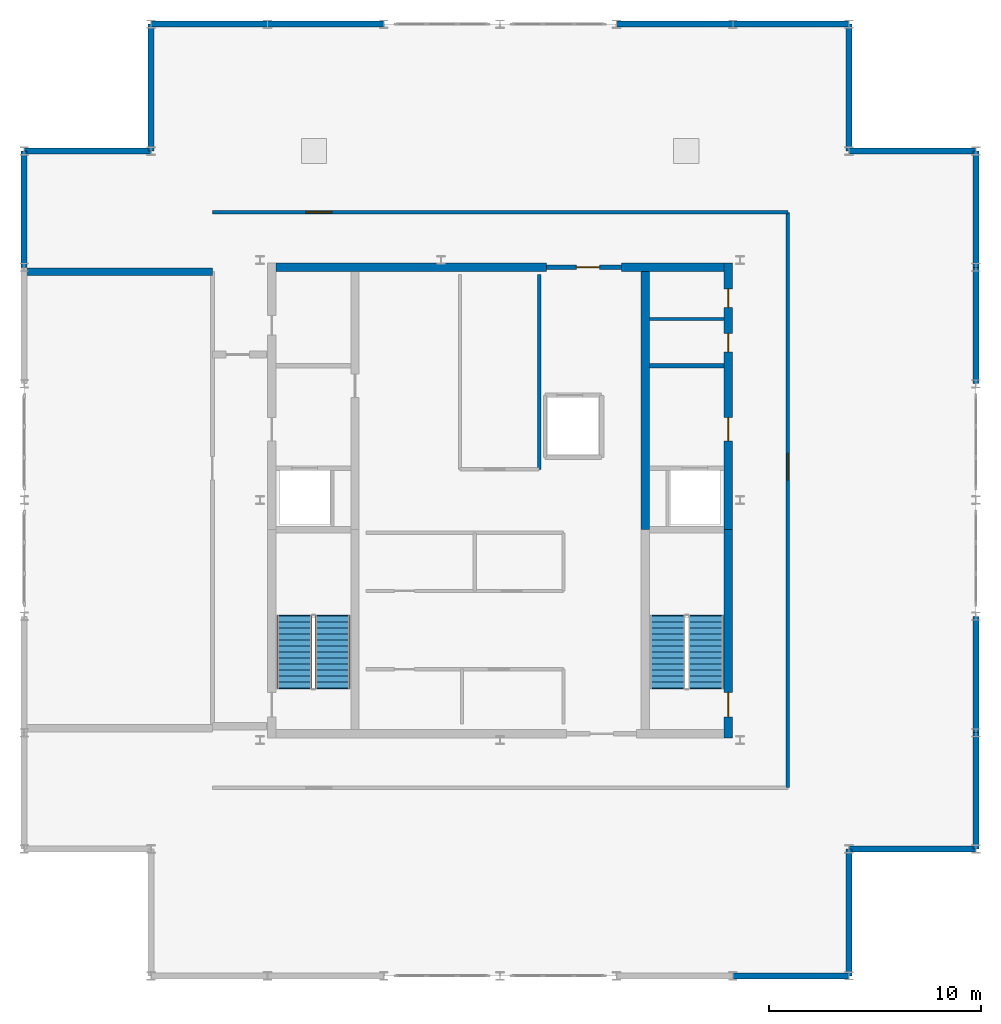
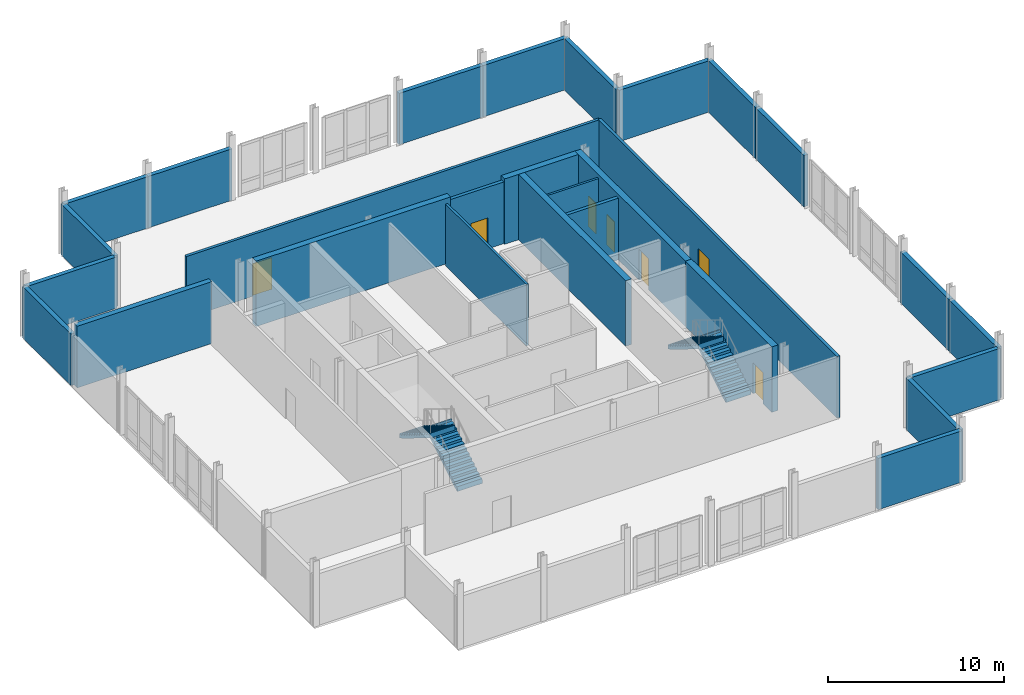
# One storey, part 6 of 7: 28 walls, 7 doors, 4 stair flights, 7 openings, 2 elements without a shape of their own.
"""IFC4 building model written with IfcOpenShell, lengths in metres."""

import ifcopenshell
import ifcopenshell.guid

model = None  # the IFC model being written
_history = None  # IfcOwnerHistory: only IFC2X3 demands one
_inside = {}  # id of a spatial element -> (the spatial element, [elements in it])
_under = {}  # id of a project, library or spatial element -> (it, [spatial elements below it])
_declared = {}  # id of a project -> (the project, [libraries it declares])
_typed = {}  # id of a type object -> (the type object, [elements of that type])
_made_of = {}  # id of a material, layer set ... -> (it, [elements and type objects made of it])


def new_model(schema):
    """Start an empty IFC model of exactly this schema.

    Asked for "IFC4X3", IfcOpenShell would pick the latest addendum, in which some entities
    have other attributes; the version numbers below select the first issue.
    IFC2X3 requires an IfcOwnerHistory on every rooted entity: one is made here for all.
    """
    global model, _history
    if schema == "IFC4X3":
        model = ifcopenshell.file(schema_version=(4, 3, 0, 0))
    else:
        model = ifcopenshell.file(schema=schema)
    _inside.clear()
    _under.clear()
    _declared.clear()
    _typed.clear()
    _made_of.clear()
    _history = None
    if model.schema == "IFC2X3":
        org = make("IfcOrganization", Name="unknown")
        user = make(
            "IfcPersonAndOrganization",
            ThePerson=make("IfcPerson", FamilyName="unknown"),
            TheOrganization=org,
        )
        app = make(
            "IfcApplication",
            ApplicationDeveloper=org,
            Version="unknown",
            ApplicationFullName="unknown",
            ApplicationIdentifier="unknown",
        )
        _history = make(
            "IfcOwnerHistory",
            OwningUser=user,
            OwningApplication=app,
            ChangeAction="ADDED",
            CreationDate=0,
        )
    return model


def make(cls, **values):
    """One entity of the class cls with the attributes given. An attribute that is None is left unset."""
    return model.create_entity(
        cls, **{name: value for name, value in values.items() if value is not None}
    )


def rooted(cls, **values):
    """An entity with a GlobalId (a new one), such as an element, a storey or a relation."""
    return make(cls, GlobalId=ifcopenshell.guid.new(), OwnerHistory=_history, **values)


def si_unit(unit_type, name, prefix=None):
    """IfcSIUnit, for example si_unit("LENGTHUNIT", "METRE", prefix="MILLI")."""
    return make("IfcSIUnit", UnitType=unit_type, Prefix=prefix, Name=name)


def assignment(units):
    """IfcUnitAssignment: the units of a project."""
    return None if units is None else make("IfcUnitAssignment", Units=units)


def point(xyz):
    """IfcCartesianPoint."""
    return None if xyz is None else make("IfcCartesianPoint", Coordinates=xyz)


def direction(xyz):
    """IfcDirection."""
    return None if xyz is None else make("IfcDirection", DirectionRatios=xyz)


def frame(location, z_axis=None, x_axis=None):
    """IfcAxis2Placement3D, a coordinate frame: its origin and axes. An axis left out is left unset."""
    return make(
        "IfcAxis2Placement3D",
        Location=point(location),
        Axis=direction(z_axis),
        RefDirection=direction(x_axis),
    )


def frame_2d(location, x_axis=None):
    """IfcAxis2Placement2D, a coordinate frame in the plane: its origin and x axis."""
    return make(
        "IfcAxis2Placement2D", Location=point(location), RefDirection=direction(x_axis)
    )


def origin():
    """The frame at (0, 0, 0) with its axes left unset."""
    return frame((0.0, 0.0, 0.0))


def place(relative_to, where):
    """IfcLocalPlacement: puts the frame where relative to a parent placement (None: the world)."""
    return make(
        "IfcLocalPlacement", PlacementRelTo=relative_to, RelativePlacement=where
    )


def context(
    kind, dimensions, precision=None, world=None, true_north=None, identifier=None
):
    """IfcGeometricRepresentationContext, for example the 3D "Model" context."""
    return make(
        "IfcGeometricRepresentationContext",
        ContextIdentifier=identifier,
        ContextType=kind,
        CoordinateSpaceDimension=dimensions,
        Precision=precision,
        WorldCoordinateSystem=world,
        TrueNorth=true_north,
    )


def subcontext(parent, identifier, kind, view, scale=None):
    """IfcGeometricRepresentationSubContext, for example "Body" below "Model"."""
    return make(
        "IfcGeometricRepresentationSubContext",
        ContextIdentifier=identifier,
        ContextType=kind,
        ParentContext=parent,
        TargetScale=scale,
        TargetView=view,
    )


def project(units=None, contexts=None):
    """IfcProject with its units and contexts."""
    return rooted(
        "IfcProject",
        Name="project",
        RepresentationContexts=contexts,
        UnitsInContext=assignment(units),
    )


def spatial(cls, under=None, at=None, **own):
    """A site, building, storey or space (cls), placed at a placement, below another one or the project."""
    s = rooted(cls, ObjectPlacement=at, **own)
    if under is not None:
        _under.setdefault(under.id(), (under, []))[1].append(s)
    return s


def polyline(points):
    """IfcPolyline through the points."""
    return make("IfcPolyline", Points=[point(p) for p in points])


def profile(cls, at=None, kind="AREA", **sizes):
    """A parametric profile (cls). Its sizes go by their IFC names, for example OverallWidth=200.0."""
    return make(cls, ProfileType=kind, Position=at, **sizes)


def rectangle(**sizes):
    """IfcRectangleProfileDef."""
    return profile("IfcRectangleProfileDef", **sizes)


def outline(outer, holes=None, kind="AREA"):
    """IfcArbitraryClosedProfileDef: a profile drawn as a closed curve; with holes, ...WithVoids."""
    if holes is None:
        return make("IfcArbitraryClosedProfileDef", ProfileType=kind, OuterCurve=outer)
    return make(
        "IfcArbitraryProfileDefWithVoids",
        ProfileType=kind,
        OuterCurve=outer,
        InnerCurves=holes,
    )


def extrude(swept, where, along, depth):
    """IfcExtrudedAreaSolid: the profile swept, set in the frame where, extruded along a direction by depth."""
    return make(
        "IfcExtrudedAreaSolid",
        SweptArea=swept,
        Position=where,
        ExtrudedDirection=direction(along),
        Depth=depth,
    )


def shape(context_of_items, identifier, shape_type, items):
    """IfcShapeRepresentation: the items that make up one representation, for example the "Body"."""
    return make(
        "IfcShapeRepresentation",
        ContextOfItems=context_of_items,
        RepresentationIdentifier=identifier,
        RepresentationType=shape_type,
        Items=items,
    )


def material(Name=None, Category=None):
    """IfcMaterial."""
    return make("IfcMaterial", Name=Name, Category=Category)


def layer(
    of_material, thickness, ventilated=None, Name=None, Category=None, Priority=None
):
    """IfcMaterialLayer: one layer of a wall or slab, of a material (None: an air gap)."""
    return make(
        "IfcMaterialLayer",
        Material=of_material,
        LayerThickness=thickness,
        IsVentilated=ventilated,
        Name=Name,
        Category=Category,
        Priority=Priority,
    )


def layer_set(layers, Name=None):
    """IfcMaterialLayerSet."""
    return make("IfcMaterialLayerSet", MaterialLayers=layers, LayerSetName=Name)


def made_of(thing, what):
    """Note that an element or type object is made of a material, layer set ...; save() writes the relation."""
    if what is not None:
        _made_of.setdefault(what.id(), (what, []))[1].append(thing)
    return thing


def type_object(cls, material=None, **own):
    """A type object (cls), such as IfcWallType, which elements share."""
    return made_of(rooted(cls, **own), material)


def element(
    cls,
    number,
    at=None,
    inside=None,
    cuts=None,
    type_object=None,
    material=None,
    context=None,
    identifier="Body",
    shape_type=None,
    held_by="IfcProductDefinitionShape",
    body=None,
    shapes=None,
    **own,
):
    """One element of the class cls, such as IfcWall. Its Tag is "e" and its number.

    at: its placement. inside: the storey or other place that contains it. cuts: it is an
    opening in that element (IfcRelVoidsElement). A single representation is given by context,
    identifier, shape_type and body (its items); several are given by shapes. held_by: the class
    of the entity that holds the representations. save() writes the other relations.
    """
    e = rooted(cls, Tag="e%d" % number, ObjectPlacement=at, **own)
    if body is not None:
        shapes = [shape(context, identifier, shape_type, body)]
    if shapes is not None:
        e.Representation = make(held_by, Representations=shapes)
    if inside is not None:
        _inside.setdefault(inside.id(), (inside, []))[1].append(e)
    if cuts is not None:
        rooted(
            "IfcRelVoidsElement", RelatingBuildingElement=cuts, RelatedOpeningElement=e
        )
    if type_object is not None:
        _typed.setdefault(type_object.id(), (type_object, []))[1].append(e)
    return made_of(e, material)


def fill(opening, filler):
    """IfcRelFillsElement: the door or window that sits in an opening."""
    return rooted(
        "IfcRelFillsElement",
        RelatingOpeningElement=opening,
        RelatedBuildingElement=filler,
    )


def aggregate(whole, parts):
    """IfcRelAggregates: a whole, such as a stair, and the parts it consists of."""
    return rooted("IfcRelAggregates", RelatingObject=whole, RelatedObjects=parts)


def save(model, path):
    """Write the relations noted so far, then the file.

    IfcRelAggregates (storeys below a building ...), IfcRelContainedInSpatialStructure (elements
    in a storey), IfcRelDefinesByType, IfcRelAssociatesMaterial and IfcRelDeclares: one each for
    every whole, place, type object, material and project.
    """
    for whole, parts in _under.values():
        aggregate(whole, parts)
    for where, things in _inside.values():
        rooted(
            "IfcRelContainedInSpatialStructure",
            RelatedElements=things,
            RelatingStructure=where,
        )
    for kind, things in _typed.values():
        rooted("IfcRelDefinesByType", RelatedObjects=things, RelatingType=kind)
    for what, things in _made_of.values():
        rooted("IfcRelAssociatesMaterial", RelatedObjects=things, RelatingMaterial=what)
    for by, libraries in _declared.values():
        rooted("IfcRelDeclares", RelatingContext=by, RelatedDefinitions=libraries)
    model.write(path)


model = new_model("IFC4")

# Units and contexts
model_context = context("Model", 3, precision=1e-05, world=origin(), true_north=direction((0.0, 1.0)))
body_context = subcontext(model_context, "Body", "Model", "MODEL_VIEW")
ifc_project = project(units=[si_unit("LENGTHUNIT", "METRE"), si_unit("AREAUNIT", "SQUARE_METRE"), si_unit("VOLUMEUNIT", "CUBIC_METRE"), si_unit("PLANEANGLEUNIT", "RADIAN"), si_unit("MASSUNIT", "GRAM", prefix="KILO")], contexts=[model_context])

# Site, building, storey
site_placement = place(None, origin())
site = spatial("IfcSite", under=ifc_project, at=site_placement, CompositionType="ELEMENT")
building_placement = place(site_placement, origin())
building = spatial("IfcBuilding", under=site, at=building_placement, Name="Nhamokura Convention Tower", CompositionType="ELEMENT")
storey_placement = place(building_placement, frame((0.0, 0.0, 326.89990234375)))
storey = spatial("IfcBuildingStorey", under=building, at=storey_placement, Name="L80", CompositionType="ELEMENT", Elevation=326.89990234375)

# Walls
ifc_material_1 = material(Name="Moisture-resistant tile-backer partition", Category="masonry")
ifc_layer_1 = layer(ifc_material_1, 0.139892578125)
ifc_layer_set_1 = layer_set([ifc_layer_1], Name="BathroomWetWall_140")
wall_type_1 = type_object("IfcWallType", Name="BathroomWetWall_140", PredefinedType="STANDARD", material=ifc_layer_set_1)
wall_1_placement = place(storey_placement, frame((39.06005859375, 40.550048828125, 0.0), z_axis=(0.0, 0.0, 1.0), x_axis=(1.0, 0.0, 0.0)))
element("IfcWall", 1, at=wall_1_placement, inside=storey, type_object=wall_type_1, Name="L80 Wall INT-L80-CWNE", PredefinedType="STANDARD", context=body_context, shape_type="SweptSolid", body=[
    extrude(rectangle(XDim=3.530029296875, YDim=0.139892578125, at=frame_2d((1.76513671875, 0.0))), origin(), (0.0, 0.0, 1.0), 4.2900390625),
])
ifc_material_2 = material(Name="Bronze-pigmented precast concrete C45/55", Category="concrete")
ifc_layer_2 = layer(ifc_material_2, 0.280029296875)
ifc_layer_set_2 = layer_set([ifc_layer_2], Name="BronzePrecastSpandrel_280")
wall_type_2 = type_object("IfcWallType", Name="BronzePrecastSpandrel_280", PredefinedType="USERDEFINED", material=ifc_layer_set_2)
for number, where, z_axis, x_axis, name in (
    (2, (48.5, 9.5, 0.0), (0.0, 0.0, 1.0), (-1.0, 0.0, 0.0), "L80 Crown Wall SOUTH 5"),
    (3, (15.5, 54.5, 0.0), (0.0, 0.0, 1.0), (1.0, 0.0, 0.0), "L80 Crown Wall NORTH 0"),
    (4, (21.0, 54.5, 0.0), (0.0, 0.0, 1.0), (1.0, 0.0, 0.0), "L80 Crown Wall NORTH 1"),
    (5, (37.5, 54.5, 0.0), (0.0, 0.0, 1.0), (1.0, 0.0, 0.0), "L80 Crown Wall NORTH 4"),
    (6, (43.0, 54.5, 0.0), (0.0, 0.0, 1.0), (1.0, 0.0, 0.0), "L80 Crown Wall NORTH 5"),
    (7, (9.5, 43.0, 0.0), (0.0, 0.0, 1.0), (0.0, 1.0, 0.0), "L80 Crown Wall WEST 5"),
    (8, (54.5, 21.0, 0.0), (0.0, 0.0, 1.0), (0.0, -1.0, 0.0), "L80 Crown Wall EAST 0"),
    (9, (54.5, 26.5, 0.0), (0.0, 0.0, 1.0), (0.0, -1.0, 0.0), "L80 Crown Wall EAST 1"),
    (10, (54.5, 43.0, 0.0), (0.0, 0.0, 1.0), (0.0, -1.0, 0.0), "L80 Crown Wall EAST 4"),
    (11, (54.5, 48.5, 0.0), (0.0, 0.0, 1.0), (0.0, -1.0, 0.0), "L80 Crown Wall EAST 5"),
):
    element("IfcWall", number, at=place(storey_placement, frame(where, z_axis=z_axis, x_axis=x_axis)), inside=storey, type_object=wall_type_2, Name=name, ObjectType="SPANDREL_WALL", PredefinedType="USERDEFINED", context=body_context, shape_type="SweptSolid", body=[
        extrude(rectangle(XDim=5.5, YDim=0.280029296875, at=frame_2d((2.75, 0.0))), origin(), (0.0, 0.0, 1.0), 3.570068359375),
    ])
for number, where, z_axis, x_axis, name in (
    (12, (48.5, 15.5, 0.0), (0.0, 0.0, 1.0), (0.0, -1.0, 0.0), "L80 Crown Notch Wall SE1"),
    (13, (54.5, 15.5, 0.0), (0.0, 0.0, 1.0), (-1.0, 0.0, 0.0), "L80 Crown Notch Wall SE2"),
    (14, (48.5, 48.5, 0.0), (0.0, 0.0, 1.0), (1.0, 0.0, 0.0), "L80 Crown Notch Wall NE1"),
    (15, (48.5, 54.5, 0.0), (0.0, 0.0, 1.0), (0.0, -1.0, 0.0), "L80 Crown Notch Wall NE2"),
    (16, (15.5, 48.5, 0.0), (0.0, 0.0, 1.0), (0.0, 1.0, 0.0), "L80 Crown Notch Wall NW1"),
    (17, (9.5, 48.5, 0.0), (0.0, 0.0, 1.0), (1.0, 0.0, 0.0), "L80 Crown Notch Wall NW2"),
):
    element("IfcWall", number, at=place(storey_placement, frame(where, z_axis=z_axis, x_axis=x_axis)), inside=storey, type_object=wall_type_2, Name=name, ObjectType="SPANDREL_WALL", PredefinedType="USERDEFINED", context=body_context, shape_type="SweptSolid", body=[
        extrude(rectangle(XDim=6.0, YDim=0.280029296875, at=frame_2d((3.0, 0.0))), origin(), (0.0, 0.0, 1.0), 3.570068359375),
    ])

# Wall, opening, door
ifc_material_3 = material(Name="Concrete C50/60", Category="concrete")
ifc_layer_3 = layer(ifc_material_3, 0.39990234375)
ifc_layer_set_3 = layer_set([ifc_layer_3], Name="CoreShearWall_400")
wall_type_3 = type_object("IfcWallType", Name="CoreShearWall_400", PredefinedType="SHEAR", material=ifc_layer_set_3)
wall_2_placement = place(storey_placement, frame((42.7900390625, 20.75, 0.0), z_axis=(0.0, 0.0, 1.0), x_axis=(0.0, 1.0, 0.0)))
wall_2 = element("IfcWall", 18, at=wall_2_placement, inside=storey, type_object=wall_type_3, Name="L80 Core Shear Wall CW-ES", PredefinedType="SHEAR", context=body_context, shape_type="SweptSolid", body=[
    extrude(rectangle(XDim=9.85009765625, YDim=0.39990234375, at=frame_2d((4.925048828125, 0.0))), origin(), (0.0, 0.0, 1.0), 4.550048828125),
])
opening_1_placement = place(wall_2_placement, frame((1.0, 0.0, 0.0)))
opening_1 = element("IfcOpeningElement", 19, at=opening_1_placement, cuts=wall_2, Name="Opening D-04", PredefinedType="OPENING", context=body_context, shape_type="SweptSolid", body=[
    extrude(rectangle(XDim=1.14990234375, YDim=2.14990234375, at=frame_2d((0.574951171875, 1.074951171875))), frame((0.0, 0.2099609375, 0.0), z_axis=(0.0, -1.0, 0.0), x_axis=(1.0, 0.0, 0.0)), (0.0, 0.0, 1.0), 0.419921875),
])
ifc_material_4 = material(Name="Fire-rated steel door", Category="steel")
door_type_1 = type_object("IfcDoorType", Name="StairSmokeDoor_1150", OperationType="NOTDEFINED", PredefinedType="DOOR", material=ifc_material_4)
door_1_placement = place(opening_1_placement, origin())
door_1 = element("IfcDoor", 20, at=door_1_placement, inside=storey, type_object=door_type_1, Name="L80 Core Door INT-L80-D-ST02", OperationType="SINGLE_SWING_RIGHT", OverallHeight=2.14990234375, OverallWidth=1.14990234375, PredefinedType="DOOR", context=body_context, shape_type="SweptSolid", body=[
    extrude(rectangle(XDim=1.14990234375, YDim=2.14990234375, at=frame_2d((0.574951171875, 1.074951171875))), frame((0.0, 0.02490234375, 0.0), z_axis=(0.0, -1.0, 0.0), x_axis=(1.0, 0.0, 0.0)), (0.0, 0.0, 1.0), 0.050048828125),
])
fill(opening_1, door_1)

# Wall, openings, doors
wall_3_placement = place(storey_placement, frame((42.7900390625, 30.60009765625, 0.0), z_axis=(0.0, 0.0, 1.0), x_axis=(0.0, 1.0, 0.0)))
wall_3 = element("IfcWall", 21, at=wall_3_placement, inside=storey, type_object=wall_type_3, Name="L80 Core Shear Wall CW-EN", PredefinedType="SHEAR", context=body_context, shape_type="SweptSolid", body=[
    extrude(rectangle(XDim=12.599853515625, YDim=0.39990234375, at=frame_2d((6.2998046875, 0.0))), origin(), (0.0, 0.0, 1.0), 4.550048828125),
])
opening_2_placement = place(wall_3_placement, frame((4.199951171875, 0.0, 0.0)))
opening_2 = element("IfcOpeningElement", 22, at=opening_2_placement, cuts=wall_3, Name="Opening D-05", PredefinedType="OPENING", context=body_context, shape_type="SweptSolid", body=[
    extrude(rectangle(XDim=1.10009765625, YDim=2.14990234375, at=frame_2d((0.550048828125, 1.074951171875))), frame((0.0, 0.2099609375, 0.0), z_axis=(0.0, -1.0, 0.0), x_axis=(1.0, 0.0, 0.0)), (0.0, 0.0, 1.0), 0.419921875),
])
opening_3_placement = place(wall_3_placement, frame((8.39990234375, 0.0, 0.0)))
opening_3 = element("IfcOpeningElement", 23, at=opening_3_placement, cuts=wall_3, Name="Opening D-11", PredefinedType="OPENING", context=body_context, shape_type="SweptSolid", body=[
    extrude(rectangle(XDim=0.8798828125, YDim=2.10009765625, at=frame_2d((0.43994140625, 1.050048828125))), frame((0.0, 0.2099609375, 0.0), z_axis=(0.0, -1.0, 0.0), x_axis=(1.0, 0.0, 0.0)), (0.0, 0.0, 1.0), 0.419921875),
])
opening_4_placement = place(wall_3_placement, frame((10.5, 0.0, 0.0)))
opening_4 = element("IfcOpeningElement", 24, at=opening_4_placement, cuts=wall_3, Name="Opening D-11", PredefinedType="OPENING", context=body_context, shape_type="SweptSolid", body=[
    extrude(rectangle(XDim=0.8798828125, YDim=2.10009765625, at=frame_2d((0.43994140625, 1.050048828125))), frame((0.0, 0.2099609375, 0.0), z_axis=(0.0, -1.0, 0.0), x_axis=(1.0, 0.0, 0.0)), (0.0, 0.0, 1.0), 0.419921875),
])
ifc_material_5 = material(Name="Solid oak hardwood", Category="wood")
door_type_2 = type_object("IfcDoorType", Name="BathroomDoor_880", OperationType="NOTDEFINED", PredefinedType="DOOR", material=ifc_material_5)
door_2_placement = place(opening_3_placement, origin())
door_2 = element("IfcDoor", 25, at=door_2_placement, inside=storey, type_object=door_type_2, Name="L80 Core Door INT-L80-D-MWC", OperationType="SINGLE_SWING_RIGHT", OverallHeight=2.10009765625, OverallWidth=0.8798828125, PredefinedType="DOOR", context=body_context, shape_type="SweptSolid", body=[
    extrude(rectangle(XDim=0.8798828125, YDim=2.10009765625, at=frame_2d((0.43994140625, 1.050048828125))), frame((0.0, 0.02490234375, 0.0), z_axis=(0.0, -1.0, 0.0), x_axis=(1.0, 0.0, 0.0)), (0.0, 0.0, 1.0), 0.050048828125),
])
fill(opening_3, door_2)
door_3_placement = place(opening_4_placement, origin())
door_3 = element("IfcDoor", 26, at=door_3_placement, inside=storey, type_object=door_type_2, Name="L80 Core Door INT-L80-D-FWC", OperationType="SINGLE_SWING_LEFT", OverallHeight=2.10009765625, OverallWidth=0.8798828125, PredefinedType="DOOR", context=body_context, shape_type="SweptSolid", body=[
    extrude(rectangle(XDim=0.8798828125, YDim=2.10009765625, at=frame_2d((0.43994140625, 1.050048828125))), frame((0.0, 0.02490234375, 0.0), z_axis=(0.0, -1.0, 0.0), x_axis=(1.0, 0.0, 0.0)), (0.0, 0.0, 1.0), 0.050048828125),
])
fill(opening_4, door_3)
ifc_material_6 = material(Name="Fire-rated steel door", Category="steel")
door_type_3 = type_object("IfcDoorType", Name="FireLobbyDoor_1100", OperationType="NOTDEFINED", PredefinedType="DOOR", material=ifc_material_6)
door_4_placement = place(opening_2_placement, origin())
door_4 = element("IfcDoor", 27, at=door_4_placement, inside=storey, type_object=door_type_3, Name="L80 Core Door INT-L80-D-FFLE", OperationType="SINGLE_SWING_LEFT", OverallHeight=2.14990234375, OverallWidth=1.10009765625, PredefinedType="DOOR", context=body_context, shape_type="SweptSolid", body=[
    extrude(rectangle(XDim=1.10009765625, YDim=2.14990234375, at=frame_2d((0.550048828125, 1.074951171875))), frame((0.0, 0.02490234375, 0.0), z_axis=(0.0, -1.0, 0.0), x_axis=(1.0, 0.0, 0.0)), (0.0, 0.0, 1.0), 0.050048828125),
])
fill(opening_2, door_4)

# Walls
wall_4_placement = place(storey_placement, frame((21.409912109375, 43.0, 0.0), z_axis=(0.0, 0.0, 1.0), x_axis=(1.0, 0.0, 0.0)))
element("IfcWall", 28, at=wall_4_placement, inside=storey, type_object=wall_type_3, Name="L80 Core Shear Wall CW-N1", PredefinedType="SHEAR", context=body_context, shape_type="SweptSolid", body=[
    extrude(rectangle(XDim=12.7900390625, YDim=0.39990234375, at=frame_2d((6.39501953125, 0.0))), origin(), (0.0, 0.0, 1.0), 4.550048828125),
])
wall_5_placement = place(storey_placement, frame((37.75, 43.0, 0.0), z_axis=(0.0, 0.0, 1.0), x_axis=(1.0, 0.0, 0.0)))
element("IfcWall", 29, at=wall_5_placement, inside=storey, type_object=wall_type_3, Name="L80 Core Shear Wall CW-N2", PredefinedType="SHEAR", context=body_context, shape_type="SweptSolid", body=[
    extrude(rectangle(XDim=4.840087890625, YDim=0.39990234375, at=frame_2d((2.419921875, 0.0))), origin(), (0.0, 0.0, 1.0), 4.550048828125),
])
wall_6_placement = place(storey_placement, frame((38.860107421875, 30.60009765625, 0.0), z_axis=(0.0, 0.0, 1.0), x_axis=(0.0, 1.0, 0.0)))
element("IfcWall", 30, at=wall_6_placement, inside=storey, type_object=wall_type_3, Name="L80 Core Shear Wall CW-IEN", PredefinedType="SHEAR", context=body_context, shape_type="SweptSolid", body=[
    extrude(rectangle(XDim=12.199951171875, YDim=0.39990234375, at=frame_2d((6.10009765625, 0.0))), origin(), (0.0, 0.0, 1.0), 4.550048828125),
])

# Wall, opening, door
ifc_material_7 = material(Name="Fire-rated gypsum and masonry partition", Category="masonry")
ifc_layer_4 = layer(ifc_material_7, 0.179931640625)
ifc_layer_set_4 = layer_set([ifc_layer_4], Name="CorridorRatedWall_180")
wall_type_4 = type_object("IfcWallType", Name="CorridorRatedWall_180", PredefinedType="STANDARD", material=ifc_layer_set_4)
wall_7_placement = place(storey_placement, frame((18.39990234375, 45.60009765625, 0.0), z_axis=(0.0, 0.0, 1.0), x_axis=(1.0, 0.0, 0.0)))
wall_7 = element("IfcWall", 31, at=wall_7_placement, inside=storey, type_object=wall_type_4, Name="L80 Wall INT-L80-CW-N00", PredefinedType="STANDARD", context=body_context, shape_type="SweptSolid", body=[
    extrude(rectangle(XDim=27.2001953125, YDim=0.179931640625, at=frame_2d((13.60009765625, 0.0))), origin(), (0.0, 0.0, 1.0), 4.2900390625),
])
opening_5_placement = place(wall_7_placement, frame((4.39990234375, 0.0, 0.0)))
opening_5 = element("IfcOpeningElement", 32, at=opening_5_placement, cuts=wall_7, Name="Opening D-12", PredefinedType="OPENING", context=body_context, shape_type="SweptSolid", body=[
    extrude(rectangle(XDim=1.25, YDim=2.199951171875, at=frame_2d((0.625, 1.10009765625))), frame((0.0, 0.099853515625, 0.0), z_axis=(0.0, -1.0, 0.0), x_axis=(1.0, 0.0, 0.0)), (0.0, 0.0, 1.0), 0.199951171875),
])
ifc_material_8 = material(Name="Fire-rated steel door", Category="steel")
door_type_4 = type_object("IfcDoorType", Name="PlantServiceDoor_1250", OperationType="NOTDEFINED", PredefinedType="DOOR", material=ifc_material_8)
door_5_placement = place(opening_5_placement, origin())
door_5 = element("IfcDoor", 33, at=door_5_placement, inside=storey, type_object=door_type_4, Name="L80 High-Altitude AHU Plant N01 Door", OperationType="SINGLE_SWING_LEFT", OverallHeight=2.199951171875, OverallWidth=1.25, PredefinedType="DOOR", context=body_context, shape_type="SweptSolid", body=[
    extrude(rectangle(XDim=1.25, YDim=2.199951171875, at=frame_2d((0.625, 1.10009765625))), frame((0.0, 0.02490234375, 0.0), z_axis=(0.0, -1.0, 0.0), x_axis=(1.0, 0.0, 0.0)), (0.0, 0.0, 1.0), 0.050048828125),
])
fill(opening_5, door_5)

wall_8_placement = place(storey_placement, frame((45.60009765625, 18.39990234375, 0.0), z_axis=(0.0, 0.0, 1.0), x_axis=(0.0, 1.0, 0.0)))
wall_8 = element("IfcWall", 34, at=wall_8_placement, inside=storey, type_object=wall_type_4, Name="L80 Wall INT-L80-CW-E00", PredefinedType="STANDARD", context=body_context, shape_type="SweptSolid", body=[
    extrude(rectangle(XDim=27.2001953125, YDim=0.179931640625, at=frame_2d((13.60009765625, 0.0))), origin(), (0.0, 0.0, 1.0), 4.2900390625),
])
opening_6_placement = place(wall_8_placement, frame((14.550048828125, 0.0, 0.0)))
opening_6 = element("IfcOpeningElement", 35, at=opening_6_placement, cuts=wall_8, Name="Opening D-12", PredefinedType="OPENING", context=body_context, shape_type="SweptSolid", body=[
    extrude(rectangle(XDim=1.25, YDim=2.199951171875, at=frame_2d((0.625, 1.10009765625))), frame((0.0, 0.099853515625, 0.0), z_axis=(0.0, -1.0, 0.0), x_axis=(1.0, 0.0, 0.0)), (0.0, 0.0, 1.0), 0.199951171875),
])
door_6_placement = place(opening_6_placement, origin())
door_6 = element("IfcDoor", 36, at=door_6_placement, inside=storey, type_object=door_type_4, Name="L80 Chilled-Water Heat Exchanger Plant E01 Door", OperationType="SINGLE_SWING_LEFT", OverallHeight=2.199951171875, OverallWidth=1.25, PredefinedType="DOOR", context=body_context, shape_type="SweptSolid", body=[
    extrude(rectangle(XDim=1.25, YDim=2.199951171875, at=frame_2d((0.625, 1.10009765625))), frame((0.0, 0.02490234375, 0.0), z_axis=(0.0, -1.0, 0.0), x_axis=(1.0, 0.0, 0.0)), (0.0, 0.0, 1.0), 0.050048828125),
])
fill(opening_6, door_6)

# Wall
ifc_material_9 = material(Name="Autoclaved concrete blockwork", Category="masonry")
ifc_layer_5 = layer(ifc_material_9, 0.219970703125)
ifc_layer_set_5 = layer_set([ifc_layer_5], Name="FireLobbyWall_220")
wall_type_5 = type_object("IfcWallType", Name="FireLobbyWall_220", PredefinedType="STANDARD", material=ifc_layer_set_5)
wall_9_placement = place(storey_placement, frame((39.06005859375, 38.35009765625, 0.0), z_axis=(0.0, 0.0, 1.0), x_axis=(1.0, 0.0, 0.0)))
element("IfcWall", 37, at=wall_9_placement, inside=storey, type_object=wall_type_5, Name="L80 Wall INT-L80-FFE-N", PredefinedType="STANDARD", context=body_context, shape_type="SweptSolid", body=[
    extrude(rectangle(XDim=3.530029296875, YDim=0.219970703125, at=frame_2d((1.76513671875, 0.0))), origin(), (0.0, 0.0, 1.0), 4.2900390625),
])

# Wall, opening, door
wall_10_placement = place(storey_placement, frame((34.199951171875, 43.0, 0.0), z_axis=(0.0, 0.0, 1.0), x_axis=(1.0, 0.0, 0.0)))
wall_10 = element("IfcWall", 38, at=wall_10_placement, inside=storey, type_object=wall_type_5, Name="L80 Wall INT-L80-CPORT-N", PredefinedType="STANDARD", context=body_context, shape_type="SweptSolid", body=[
    extrude(rectangle(XDim=3.550048828125, YDim=0.219970703125, at=frame_2d((1.77490234375, 0.0))), origin(), (0.0, 0.0, 1.0), 4.2900390625),
])
opening_7_placement = place(wall_10_placement, frame((1.39990234375, 0.0, 0.0)))
opening_7 = element("IfcOpeningElement", 39, at=opening_7_placement, cuts=wall_10, Name="Opening D-05", PredefinedType="OPENING", context=body_context, shape_type="SweptSolid", body=[
    extrude(rectangle(XDim=1.10009765625, YDim=2.14990234375, at=frame_2d((0.550048828125, 1.074951171875))), frame((0.0, 0.119873046875, 0.0), z_axis=(0.0, -1.0, 0.0), x_axis=(1.0, 0.0, 0.0)), (0.0, 0.0, 1.0), 0.239990234375),
])
door_7_placement = place(opening_7_placement, origin())
door_7 = element("IfcDoor", 40, at=door_7_placement, inside=storey, type_object=door_type_3, Name="L80 North Core Lobby Portal Door", OperationType="SINGLE_SWING_RIGHT", OverallHeight=2.14990234375, OverallWidth=1.10009765625, PredefinedType="DOOR", context=body_context, shape_type="SweptSolid", body=[
    extrude(rectangle(XDim=1.10009765625, YDim=2.14990234375, at=frame_2d((0.550048828125, 1.074951171875))), frame((0.0, 0.02490234375, 0.0), z_axis=(0.0, -1.0, 0.0), x_axis=(1.0, 0.0, 0.0)), (0.0, 0.0, 1.0), 0.050048828125),
])
fill(opening_7, door_7)

# Walls
ifc_material_10 = material(Name="Concrete C50/60", Category="concrete")
ifc_layer_6 = layer(ifc_material_10, 0.35009765625)
ifc_layer_set_6 = layer_set([ifc_layer_6], Name="FirewallPlant_350")
wall_type_6 = type_object("IfcWallType", Name="FirewallPlant_350", PredefinedType="STANDARD", material=ifc_layer_set_6)
wall_11_placement = place(storey_placement, frame((9.56005859375, 42.800048828125, 0.0), z_axis=(0.0, 0.0, 1.0), x_axis=(1.0, 0.0, 0.0)))
element("IfcWall", 41, at=wall_11_placement, inside=storey, type_object=wall_type_6, Name="L80 Wall INT-L80-RWT-W", PredefinedType="STANDARD", context=body_context, shape_type="SweptSolid", body=[
    extrude(rectangle(XDim=8.83984375, YDim=0.35009765625, at=frame_2d((4.419921875, 0.0))), origin(), (0.0, 0.0, 1.0), 4.2900390625),
])
ifc_material_11 = material(Name="Acoustic gypsum stud partition", Category="masonry")
ifc_layer_7 = layer(ifc_material_11, 0.14990234375)
ifc_layer_set_7 = layer_set([ifc_layer_7], Name="InteriorPartition_150")
wall_type_7 = type_object("IfcWallType", Name="InteriorPartition_150", PredefinedType="STANDARD", material=ifc_layer_set_7)
wall_12_placement = place(storey_placement, frame((33.85009765625, 33.449951171875, 0.0), z_axis=(0.0, 0.0, 1.0), x_axis=(0.0, 1.0, 0.0)))
element("IfcWall", 42, at=wall_12_placement, inside=storey, type_object=wall_type_7, Name="L80 Wall INT-L80-ST03E", PredefinedType="STANDARD", context=body_context, shape_type="SweptSolid", body=[
    extrude(rectangle(XDim=9.199951171875, YDim=0.14990234375, at=frame_2d((4.60009765625, 0.0))), origin(), (0.0, 0.0, 1.0), 4.2900390625),
])

# Stair, stair flights
ifc_material_12 = material(Name="Concrete C40/50", Category="concrete")
stair_type = type_object("IfcStairType", Name="TowerCoreStair_1650", PredefinedType="HALF_TURN_STAIR", material=ifc_material_12)
stair_1_placement = place(storey_placement, origin())
stair_1 = element("IfcStair", 43, at=stair_1_placement, inside=storey, type_object=stair_type, Name="L80 West Core Smokeproof Stair ST-01", PredefinedType="HALF_TURN_STAIR")
ifc_material_13 = material(Name="Concrete C40/50", Category="concrete")
stair_flight_type = type_object("IfcStairFlightType", Name="TowerCoreStair_1650_Flight", PredefinedType="STRAIGHT", material=ifc_material_13)
stair_flight_1_placement = place(storey_placement, frame((24.074951171875, 23.10009765625, 0.0), z_axis=(0.0, 0.0, 1.0), x_axis=(0.0, 1.0, 0.0)))
stair_flight_1 = element("IfcStairFlight", 44, at=stair_flight_1_placement, type_object=stair_flight_type, Name="ST-01 flight 1", NumberOfRisers=13, NumberOfTreads=12, PredefinedType="STRAIGHT", RiserHeight=0.175, TreadLength=0.285, context=body_context, shape_type="SweptSolid", body=[
    extrude(outline(polyline([(-0.0419921875, 0.0), (0.0, 0.175048828125), (0.284912109375, 0.175048828125), (0.284912109375, 0.35009765625), (0.570068359375, 0.35009765625), (0.570068359375, 0.52490234375), (0.85498046875, 0.52490234375), (0.85498046875, 0.699951171875), (1.139892578125, 0.699951171875), (1.139892578125, 0.875), (1.425048828125, 0.875), (1.425048828125, 1.050048828125), (1.7099609375, 1.050048828125), (1.7099609375, 1.22509765625), (1.9951171875, 1.22509765625), (1.9951171875, 1.39990234375), (2.280029296875, 1.39990234375), (2.280029296875, 1.574951171875), (2.56494140625, 1.574951171875), (2.56494140625, 1.75), (2.85009765625, 1.75), (2.85009765625, 1.925048828125), (3.135009765625, 1.925048828125), (3.135009765625, 2.10009765625), (3.419921875, 2.10009765625), (3.419921875, 2.27490234375), (3.4619140625, 2.27490234375), (3.4619140625, 1.924072265625), (3.419921875, 1.924072265625), (0.286376953125, 0.0), (0.02001953125, -0.1298828125), (-0.0419921875, -0.1298828125), (-0.0419921875, 0.0)])), frame((0.0, 0.824951171875, 0.0), z_axis=(0.0, -1.0, 0.0), x_axis=(1.0, 0.0, 0.0)), (0.0, 0.0, 1.0), 1.64990234375),
])
stair_flight_2_placement = place(storey_placement, frame((22.27490234375, 26.52001953125, 2.275146484375), z_axis=(0.0, 0.0, 1.0), x_axis=(0.0, -1.0, 0.0)))
stair_flight_2 = element("IfcStairFlight", 45, at=stair_flight_2_placement, type_object=stair_flight_type, Name="ST-01 flight 2", NumberOfRisers=13, NumberOfTreads=12, PredefinedType="STRAIGHT", RiserHeight=0.175, TreadLength=0.285, context=body_context, shape_type="SweptSolid", body=[
    extrude(outline(polyline([(-0.0419921875, 0.0), (0.0, 0.175048828125), (0.284912109375, 0.175048828125), (0.284912109375, 0.35009765625), (0.570068359375, 0.35009765625), (0.570068359375, 0.52490234375), (0.85498046875, 0.52490234375), (0.85498046875, 0.699951171875), (1.139892578125, 0.699951171875), (1.139892578125, 0.875), (1.425048828125, 0.875), (1.425048828125, 1.050048828125), (1.7099609375, 1.050048828125), (1.7099609375, 1.22509765625), (1.9951171875, 1.22509765625), (1.9951171875, 1.39990234375), (2.280029296875, 1.39990234375), (2.280029296875, 1.574951171875), (2.56494140625, 1.574951171875), (2.56494140625, 1.75), (2.85009765625, 1.75), (2.85009765625, 1.925048828125), (3.135009765625, 1.925048828125), (3.135009765625, 2.10009765625), (3.419921875, 2.10009765625), (3.419921875, 2.27490234375), (3.4619140625, 2.27490234375), (3.4619140625, 1.924072265625), (3.419921875, 1.924072265625), (0.286376953125, 0.0), (0.02001953125, -0.1298828125), (-0.0419921875, -0.1298828125), (-0.0419921875, 0.0)])), frame((0.0, 0.824951171875, 0.0), z_axis=(0.0, -1.0, 0.0), x_axis=(1.0, 0.0, 0.0)), (0.0, 0.0, 1.0), 1.64990234375),
])
aggregate(stair_1, [stair_flight_1, stair_flight_2])

stair_2_placement = place(storey_placement, origin())
stair_2 = element("IfcStair", 46, at=stair_2_placement, inside=storey, type_object=stair_type, Name="L80 East Core Smokeproof Stair ST-02", PredefinedType="HALF_TURN_STAIR")
stair_flight_3_placement = place(storey_placement, frame((41.72509765625, 23.10009765625, 0.0), z_axis=(0.0, 0.0, 1.0), x_axis=(0.0, 1.0, 0.0)))
stair_flight_3 = element("IfcStairFlight", 47, at=stair_flight_3_placement, type_object=stair_flight_type, Name="ST-02 flight 1", NumberOfRisers=13, NumberOfTreads=12, PredefinedType="STRAIGHT", RiserHeight=0.175, TreadLength=0.285, context=body_context, shape_type="SweptSolid", body=[
    extrude(outline(polyline([(-0.0419921875, 0.0), (0.0, 0.175048828125), (0.284912109375, 0.175048828125), (0.284912109375, 0.35009765625), (0.570068359375, 0.35009765625), (0.570068359375, 0.52490234375), (0.85498046875, 0.52490234375), (0.85498046875, 0.699951171875), (1.139892578125, 0.699951171875), (1.139892578125, 0.875), (1.425048828125, 0.875), (1.425048828125, 1.050048828125), (1.7099609375, 1.050048828125), (1.7099609375, 1.22509765625), (1.9951171875, 1.22509765625), (1.9951171875, 1.39990234375), (2.280029296875, 1.39990234375), (2.280029296875, 1.574951171875), (2.56494140625, 1.574951171875), (2.56494140625, 1.75), (2.85009765625, 1.75), (2.85009765625, 1.925048828125), (3.135009765625, 1.925048828125), (3.135009765625, 2.10009765625), (3.419921875, 2.10009765625), (3.419921875, 2.27490234375), (3.4619140625, 2.27490234375), (3.4619140625, 1.924072265625), (3.419921875, 1.924072265625), (0.286376953125, 0.0), (0.02001953125, -0.1298828125), (-0.0419921875, -0.1298828125), (-0.0419921875, 0.0)])), frame((0.0, 0.824951171875, 0.0), z_axis=(0.0, -1.0, 0.0), x_axis=(1.0, 0.0, 0.0)), (0.0, 0.0, 1.0), 1.64990234375),
])
stair_flight_4_placement = place(storey_placement, frame((39.925048828125, 26.52001953125, 2.275146484375), z_axis=(0.0, 0.0, 1.0), x_axis=(0.0, -1.0, 0.0)))
stair_flight_4 = element("IfcStairFlight", 48, at=stair_flight_4_placement, type_object=stair_flight_type, Name="ST-02 flight 2", NumberOfRisers=13, NumberOfTreads=12, PredefinedType="STRAIGHT", RiserHeight=0.175, TreadLength=0.285, context=body_context, shape_type="SweptSolid", body=[
    extrude(outline(polyline([(-0.0419921875, 0.0), (0.0, 0.175048828125), (0.284912109375, 0.175048828125), (0.284912109375, 0.35009765625), (0.570068359375, 0.35009765625), (0.570068359375, 0.52490234375), (0.85498046875, 0.52490234375), (0.85498046875, 0.699951171875), (1.139892578125, 0.699951171875), (1.139892578125, 0.875), (1.425048828125, 0.875), (1.425048828125, 1.050048828125), (1.7099609375, 1.050048828125), (1.7099609375, 1.22509765625), (1.9951171875, 1.22509765625), (1.9951171875, 1.39990234375), (2.280029296875, 1.39990234375), (2.280029296875, 1.574951171875), (2.56494140625, 1.574951171875), (2.56494140625, 1.75), (2.85009765625, 1.75), (2.85009765625, 1.925048828125), (3.135009765625, 1.925048828125), (3.135009765625, 2.10009765625), (3.419921875, 2.10009765625), (3.419921875, 2.27490234375), (3.4619140625, 2.27490234375), (3.4619140625, 1.924072265625), (3.419921875, 1.924072265625), (0.286376953125, 0.0), (0.02001953125, -0.1298828125), (-0.0419921875, -0.1298828125), (-0.0419921875, 0.0)])), frame((0.0, 0.824951171875, 0.0), z_axis=(0.0, -1.0, 0.0), x_axis=(1.0, 0.0, 0.0)), (0.0, 0.0, 1.0), 1.64990234375),
])
aggregate(stair_2, [stair_flight_3, stair_flight_4])

save(model, "model.ifc")
